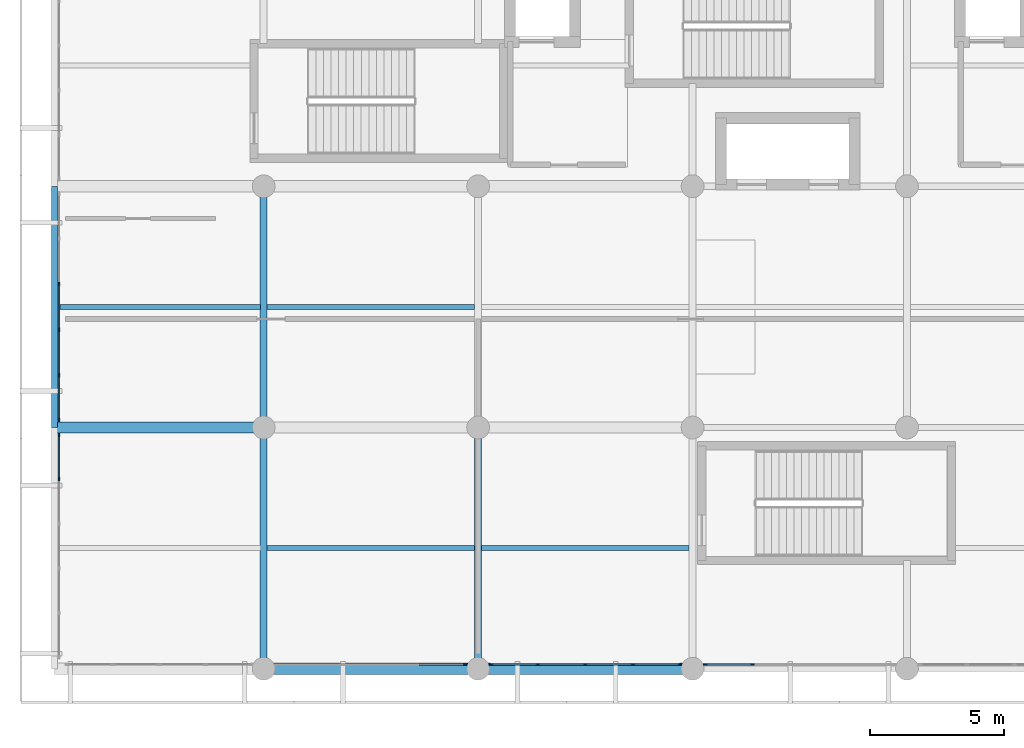
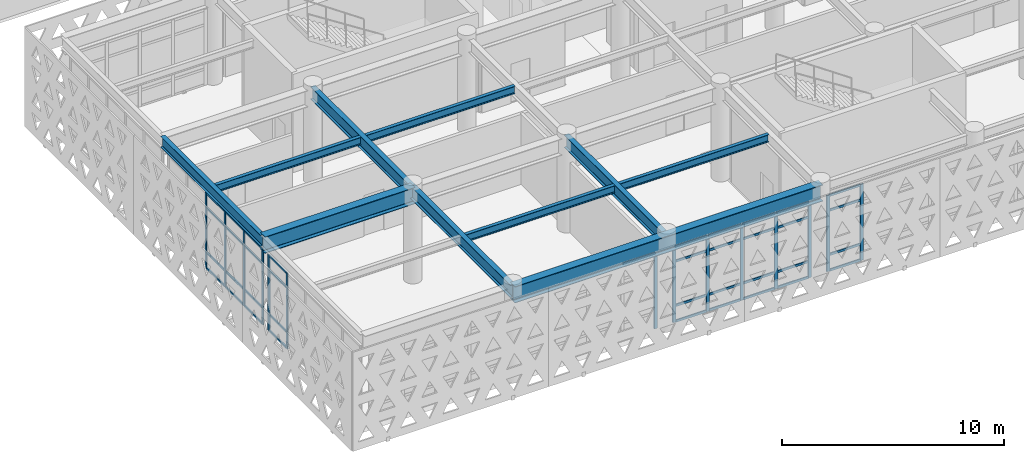
# One storey, part 10 of 84: 51 members, 10 beams, 5 elements without a shape of their own.
"""IFC4 building model written with IfcOpenShell, lengths in metres."""

from ifc_helpers import new_model, si_unit, direction, frame, origin, origin_2d, place, context, subcontext, project, spatial, rectangle, i_section, extrude, material, layer, layer_set, material_profile, profile_set, type_object, element, aggregate, save


model = new_model("IFC4")

# Units and contexts
model_context = context("Model", 3, precision=1e-05, world=origin(), true_north=direction((0.0, 1.0)))
body_context = subcontext(model_context, "Body", "Model", "MODEL_VIEW")
ifc_project = project(units=[si_unit("LENGTHUNIT", "METRE"), si_unit("AREAUNIT", "SQUARE_METRE"), si_unit("VOLUMEUNIT", "CUBIC_METRE"), si_unit("PLANEANGLEUNIT", "RADIAN"), si_unit("MASSUNIT", "GRAM", prefix="KILO")], contexts=[model_context])

# Site, building, storey
site_placement = place(None, origin())
site = spatial("IfcSite", under=ifc_project, at=site_placement, CompositionType="ELEMENT")
building_placement = place(site_placement, origin())
building = spatial("IfcBuilding", under=site, at=building_placement, Name="Tlacozan Convention Centre", CompositionType="ELEMENT")
storey_placement = place(building_placement, frame((0.0, 0.0, 6.0)))
storey = spatial("IfcBuildingStorey", under=building, at=storey_placement, Name="L01", CompositionType="ELEMENT", Elevation=6.0)

# Beam
ifc_material_1 = material(Name="Steel ASTM A992 Grade 50", Category="steel")
ifc_material_profile_1 = material_profile(ifc_material_1, i_section(OverallWidth=0.41796875, OverallDepth=0.912109375, WebThickness=0.019287109375, FlangeThickness=0.031982421875, FilletRadius=0.02001953125, at=origin_2d()), Name="IR 914x342.0")
ifc_profile_set_1 = profile_set([ifc_material_profile_1], Name="Steel ASTM A992 Grade 50")
beam_type_1 = type_object("IfcBeamType", Name="Cantilever Girder IR 914x342", PredefinedType="BEAM", material=ifc_profile_set_1)
beam_1_placement = place(storey_placement, frame((8.0, 9.0, 4.68408203125), z_axis=(-1.0, 0.0, 0.0), x_axis=(0.0, -1.0, 0.0)))
element("IfcBeam", 1, at=beam_1_placement, inside=storey, type_object=beam_type_1, Name="L01 Cantilever Girder IR 914x342 316", PredefinedType="BEAM", context=body_context, shape_type="SweptSolid", body=[
    extrude(i_section(OverallWidth=0.41796875, OverallDepth=0.912109375, WebThickness=0.019287109375, FlangeThickness=0.031982421875, FilletRadius=0.02001953125, at=origin_2d()), origin(), (0.0, 0.0, 1.0), 7.800048828125),
])

# Curtain wall, members
ifc_material_2 = material(Name="Dark Bronze Anodised Aluminium", Category="aluminium")
ifc_layer_1 = layer(ifc_material_2, 0.159912109375)
ifc_layer_set_1 = layer_set([ifc_layer_1], Name="Dark Bronze Anodised Aluminium")
curtain_wall_type_1 = type_object("IfcCurtainWallType", Name="Unitised Congress Gable End CW06", PredefinedType="NOTDEFINED", material=ifc_layer_set_1)
curtain_wall_1_placement = place(storey_placement, origin())
curtain_wall_1 = element("IfcCurtainWall", 2, at=curtain_wall_1_placement, inside=storey, type_object=curtain_wall_type_1, Name="L01 CW-06 Run 72", PredefinedType="NOTDEFINED")
ifc_material_profile_2 = material_profile(ifc_material_2, rectangle(XDim=0.06005859375, YDim=0.139892578125, at=origin_2d()), Name="ALU 60x140")
ifc_profile_set_2 = profile_set([ifc_material_profile_2], Name="Dark Bronze Anodised Aluminium")
member_type_1 = type_object("IfcMemberType", Name="Curtain Wall Light Mullion 60x140", PredefinedType="MULLION", material=ifc_profile_set_2)
member_1_placement = place(storey_placement, frame((0.360107421875, 7.08203125, 0.0), z_axis=(0.0, 0.0, 1.0), x_axis=(-1.0, 0.0, 0.0)))
member_1 = element("IfcMember", 3, at=member_1_placement, type_object=member_type_1, Name="CW-06 mullion 5", PredefinedType="MULLION", context=body_context, shape_type="SweptSolid", body=[
    extrude(rectangle(XDim=0.06005859375, YDim=0.139892578125, at=origin_2d()), origin(), (0.0, 0.0, 1.0), 4.179931640625),
])
member_2_placement = place(storey_placement, frame((0.360107421875, 8.719970703125, 0.0), z_axis=(0.0, 0.0, 1.0), x_axis=(-1.0, 0.0, 0.0)))
member_2 = element("IfcMember", 4, at=member_2_placement, type_object=member_type_1, Name="CW-06 mullion 6", PredefinedType="MULLION", context=body_context, shape_type="SweptSolid", body=[
    extrude(rectangle(XDim=0.06005859375, YDim=0.139892578125, at=origin_2d()), origin(), (0.0, 0.0, 1.0), 4.179931640625),
])

curtain_wall_2_placement = place(storey_placement, origin())
curtain_wall_2 = element("IfcCurtainWall", 5, at=curtain_wall_2_placement, inside=storey, type_object=curtain_wall_type_1, Name="L01 CW-06 Run 74", PredefinedType="NOTDEFINED")
member_3_placement = place(storey_placement, frame((0.360107421875, 9.280029296875, 0.0), z_axis=(0.0, 0.0, 1.0), x_axis=(-1.0, 0.0, 0.0)))
member_3 = element("IfcMember", 6, at=member_3_placement, type_object=member_type_1, Name="CW-06 mullion 1", PredefinedType="MULLION", context=body_context, shape_type="SweptSolid", body=[
    extrude(rectangle(XDim=0.06005859375, YDim=0.139892578125, at=origin_2d()), origin(), (0.0, 0.0, 1.0), 4.179931640625),
])
member_4_placement = place(storey_placement, frame((0.360107421875, 10.949951171875, 0.0), z_axis=(0.0, 0.0, 1.0), x_axis=(-1.0, 0.0, 0.0)))
member_4 = element("IfcMember", 7, at=member_4_placement, type_object=member_type_1, Name="CW-06 mullion 2", PredefinedType="MULLION", context=body_context, shape_type="SweptSolid", body=[
    extrude(rectangle(XDim=0.06005859375, YDim=0.139892578125, at=origin_2d()), origin(), (0.0, 0.0, 1.0), 4.179931640625),
])
member_5_placement = place(storey_placement, frame((0.360107421875, 12.64990234375, 0.0), z_axis=(0.0, 0.0, 1.0), x_axis=(-1.0, 0.0, 0.0)))
member_5 = element("IfcMember", 8, at=member_5_placement, type_object=member_type_1, Name="CW-06 mullion 3", PredefinedType="MULLION", context=body_context, shape_type="SweptSolid", body=[
    extrude(rectangle(XDim=0.06005859375, YDim=0.139892578125, at=origin_2d()), origin(), (0.0, 0.0, 1.0), 4.179931640625),
])
member_6_placement = place(storey_placement, frame((0.360107421875, 14.35009765625, 0.0), z_axis=(0.0, 0.0, 1.0), x_axis=(-1.0, 0.0, 0.0)))
member_6 = element("IfcMember", 9, at=member_6_placement, type_object=member_type_1, Name="CW-06 mullion 4", PredefinedType="MULLION", context=body_context, shape_type="SweptSolid", body=[
    extrude(rectangle(XDim=0.06005859375, YDim=0.139892578125, at=origin_2d()), origin(), (0.0, 0.0, 1.0), 4.179931640625),
])

# Member
ifc_material_profile_3 = material_profile(ifc_material_2, rectangle(XDim=0.06005859375, YDim=0.110107421875, at=origin_2d()), Name="ALU 60x110")
ifc_profile_set_3 = profile_set([ifc_material_profile_3], Name="Dark Bronze Anodised Aluminium")
member_type_2 = type_object("IfcMemberType", Name="Curtain Wall Light Transom 60x110", PredefinedType="USERDEFINED", material=ifc_profile_set_3)
member_7_placement = place(storey_placement, frame((0.360107421875, 7.112060546875, 0.030029296875), z_axis=(0.0, 1.0, 0.0), x_axis=(-1.0, 0.0, 0.0)))
member_7 = element("IfcMember", 10, at=member_7_placement, type_object=member_type_2, Name="CW-06 transom 5.1", ObjectType="TRANSOM", PredefinedType="USERDEFINED", context=body_context, shape_type="SweptSolid", body=[
    extrude(rectangle(XDim=0.06005859375, YDim=0.110107421875, at=origin_2d()), origin(), (0.0, 0.0, 1.0), 1.577880859375),
])

member_8_placement = place(storey_placement, frame((0.360107421875, 7.112060546875, 0.89990234375), z_axis=(0.0, 1.0, 0.0), x_axis=(-1.0, 0.0, 0.0)))
member_8 = element("IfcMember", 11, at=member_8_placement, type_object=member_type_2, Name="CW-06 transom 5.2", ObjectType="TRANSOM", PredefinedType="USERDEFINED", context=body_context, shape_type="SweptSolid", body=[
    extrude(rectangle(XDim=0.06005859375, YDim=0.110107421875, at=origin_2d()), origin(), (0.0, 0.0, 1.0), 1.577880859375),
])

member_9_placement = place(storey_placement, frame((0.360107421875, 7.112060546875, 3.330078125), z_axis=(0.0, 1.0, 0.0), x_axis=(-1.0, 0.0, 0.0)))
member_9 = element("IfcMember", 12, at=member_9_placement, type_object=member_type_2, Name="CW-06 transom 5.3", ObjectType="TRANSOM", PredefinedType="USERDEFINED", context=body_context, shape_type="SweptSolid", body=[
    extrude(rectangle(XDim=0.06005859375, YDim=0.110107421875, at=origin_2d()), origin(), (0.0, 0.0, 1.0), 1.577880859375),
])

member_10_placement = place(storey_placement, frame((0.360107421875, 7.112060546875, 4.14990234375), z_axis=(0.0, 1.0, 0.0), x_axis=(-1.0, 0.0, 0.0)))
member_10 = element("IfcMember", 13, at=member_10_placement, type_object=member_type_2, Name="CW-06 transom 5.4", ObjectType="TRANSOM", PredefinedType="USERDEFINED", context=body_context, shape_type="SweptSolid", body=[
    extrude(rectangle(XDim=0.06005859375, YDim=0.110107421875, at=origin_2d()), origin(), (0.0, 0.0, 1.0), 1.577880859375),
])

aggregate(curtain_wall_1, [member_1, member_2, member_7, member_8, member_9, member_10])

member_11_placement = place(storey_placement, frame((0.360107421875, 9.31005859375, 0.030029296875), z_axis=(0.0, 1.0, 0.0), x_axis=(-1.0, 0.0, 0.0)))
member_11 = element("IfcMember", 14, at=member_11_placement, type_object=member_type_2, Name="CW-06 transom 1.1", ObjectType="TRANSOM", PredefinedType="USERDEFINED", context=body_context, shape_type="SweptSolid", body=[
    extrude(rectangle(XDim=0.06005859375, YDim=0.110107421875, at=origin_2d()), origin(), (0.0, 0.0, 1.0), 1.60986328125),
])

member_12_placement = place(storey_placement, frame((0.360107421875, 9.31005859375, 0.89990234375), z_axis=(0.0, 1.0, 0.0), x_axis=(-1.0, 0.0, 0.0)))
member_12 = element("IfcMember", 15, at=member_12_placement, type_object=member_type_2, Name="CW-06 transom 1.2", ObjectType="TRANSOM", PredefinedType="USERDEFINED", context=body_context, shape_type="SweptSolid", body=[
    extrude(rectangle(XDim=0.06005859375, YDim=0.110107421875, at=origin_2d()), origin(), (0.0, 0.0, 1.0), 1.60986328125),
])

member_13_placement = place(storey_placement, frame((0.360107421875, 9.31005859375, 3.330078125), z_axis=(0.0, 1.0, 0.0), x_axis=(-1.0, 0.0, 0.0)))
member_13 = element("IfcMember", 16, at=member_13_placement, type_object=member_type_2, Name="CW-06 transom 1.3", ObjectType="TRANSOM", PredefinedType="USERDEFINED", context=body_context, shape_type="SweptSolid", body=[
    extrude(rectangle(XDim=0.06005859375, YDim=0.110107421875, at=origin_2d()), origin(), (0.0, 0.0, 1.0), 1.60986328125),
])

member_14_placement = place(storey_placement, frame((0.360107421875, 9.31005859375, 4.14990234375), z_axis=(0.0, 1.0, 0.0), x_axis=(-1.0, 0.0, 0.0)))
member_14 = element("IfcMember", 17, at=member_14_placement, type_object=member_type_2, Name="CW-06 transom 1.4", ObjectType="TRANSOM", PredefinedType="USERDEFINED", context=body_context, shape_type="SweptSolid", body=[
    extrude(rectangle(XDim=0.06005859375, YDim=0.110107421875, at=origin_2d()), origin(), (0.0, 0.0, 1.0), 1.60986328125),
])

member_15_placement = place(storey_placement, frame((0.360107421875, 10.97998046875, 0.030029296875), z_axis=(0.0, 1.0, 0.0), x_axis=(-1.0, 0.0, 0.0)))
member_15 = element("IfcMember", 18, at=member_15_placement, type_object=member_type_2, Name="CW-06 transom 2.1", ObjectType="TRANSOM", PredefinedType="USERDEFINED", context=body_context, shape_type="SweptSolid", body=[
    extrude(rectangle(XDim=0.06005859375, YDim=0.110107421875, at=origin_2d()), origin(), (0.0, 0.0, 1.0), 1.64013671875),
])

member_16_placement = place(storey_placement, frame((0.360107421875, 10.97998046875, 0.89990234375), z_axis=(0.0, 1.0, 0.0), x_axis=(-1.0, 0.0, 0.0)))
member_16 = element("IfcMember", 19, at=member_16_placement, type_object=member_type_2, Name="CW-06 transom 2.2", ObjectType="TRANSOM", PredefinedType="USERDEFINED", context=body_context, shape_type="SweptSolid", body=[
    extrude(rectangle(XDim=0.06005859375, YDim=0.110107421875, at=origin_2d()), origin(), (0.0, 0.0, 1.0), 1.64013671875),
])

member_17_placement = place(storey_placement, frame((0.360107421875, 10.97998046875, 3.330078125), z_axis=(0.0, 1.0, 0.0), x_axis=(-1.0, 0.0, 0.0)))
member_17 = element("IfcMember", 20, at=member_17_placement, type_object=member_type_2, Name="CW-06 transom 2.3", ObjectType="TRANSOM", PredefinedType="USERDEFINED", context=body_context, shape_type="SweptSolid", body=[
    extrude(rectangle(XDim=0.06005859375, YDim=0.110107421875, at=origin_2d()), origin(), (0.0, 0.0, 1.0), 1.64013671875),
])

member_18_placement = place(storey_placement, frame((0.360107421875, 10.97998046875, 4.14990234375), z_axis=(0.0, 1.0, 0.0), x_axis=(-1.0, 0.0, 0.0)))
member_18 = element("IfcMember", 21, at=member_18_placement, type_object=member_type_2, Name="CW-06 transom 2.4", ObjectType="TRANSOM", PredefinedType="USERDEFINED", context=body_context, shape_type="SweptSolid", body=[
    extrude(rectangle(XDim=0.06005859375, YDim=0.110107421875, at=origin_2d()), origin(), (0.0, 0.0, 1.0), 1.64013671875),
])

member_19_placement = place(storey_placement, frame((0.360107421875, 12.679931640625, 0.030029296875), z_axis=(0.0, 1.0, 0.0), x_axis=(-1.0, 0.0, 0.0)))
member_19 = element("IfcMember", 22, at=member_19_placement, type_object=member_type_2, Name="CW-06 transom 3.1", ObjectType="TRANSOM", PredefinedType="USERDEFINED", context=body_context, shape_type="SweptSolid", body=[
    extrude(rectangle(XDim=0.06005859375, YDim=0.110107421875, at=origin_2d()), origin(), (0.0, 0.0, 1.0), 1.64013671875),
])

member_20_placement = place(storey_placement, frame((0.360107421875, 12.679931640625, 0.89990234375), z_axis=(0.0, 1.0, 0.0), x_axis=(-1.0, 0.0, 0.0)))
member_20 = element("IfcMember", 23, at=member_20_placement, type_object=member_type_2, Name="CW-06 transom 3.2", ObjectType="TRANSOM", PredefinedType="USERDEFINED", context=body_context, shape_type="SweptSolid", body=[
    extrude(rectangle(XDim=0.06005859375, YDim=0.110107421875, at=origin_2d()), origin(), (0.0, 0.0, 1.0), 1.64013671875),
])

member_21_placement = place(storey_placement, frame((0.360107421875, 12.679931640625, 3.330078125), z_axis=(0.0, 1.0, 0.0), x_axis=(-1.0, 0.0, 0.0)))
member_21 = element("IfcMember", 24, at=member_21_placement, type_object=member_type_2, Name="CW-06 transom 3.3", ObjectType="TRANSOM", PredefinedType="USERDEFINED", context=body_context, shape_type="SweptSolid", body=[
    extrude(rectangle(XDim=0.06005859375, YDim=0.110107421875, at=origin_2d()), origin(), (0.0, 0.0, 1.0), 1.64013671875),
])

member_22_placement = place(storey_placement, frame((0.360107421875, 12.679931640625, 4.14990234375), z_axis=(0.0, 1.0, 0.0), x_axis=(-1.0, 0.0, 0.0)))
member_22 = element("IfcMember", 25, at=member_22_placement, type_object=member_type_2, Name="CW-06 transom 3.4", ObjectType="TRANSOM", PredefinedType="USERDEFINED", context=body_context, shape_type="SweptSolid", body=[
    extrude(rectangle(XDim=0.06005859375, YDim=0.110107421875, at=origin_2d()), origin(), (0.0, 0.0, 1.0), 1.64013671875),
])

aggregate(curtain_wall_2, [member_3, member_4, member_5, member_6, member_11, member_12, member_13, member_14, member_15, member_16, member_17, member_18, member_19, member_20, member_21, member_22])

# Curtain wall, member
ifc_layer_2 = layer(ifc_material_2, 0.159912109375)
ifc_layer_set_2 = layer_set([ifc_layer_2], Name="Dark Bronze Anodised Aluminium")
curtain_wall_type_2 = type_object("IfcCurtainWallType", Name="Unitised Congress L01 South CW02", PredefinedType="NOTDEFINED", material=ifc_layer_set_2)
curtain_wall_3_placement = place(storey_placement, origin())
curtain_wall_3 = element("IfcCurtainWall", 26, at=curtain_wall_3_placement, inside=storey, type_object=curtain_wall_type_2, Name="L01 CW-02 Run 56", PredefinedType="NOTDEFINED")
ifc_material_profile_4 = material_profile(ifc_material_2, rectangle(XDim=0.06494140625, YDim=0.159912109375, at=origin_2d()), Name="ALU 65x160")
ifc_profile_set_4 = profile_set([ifc_material_profile_4], Name="Dark Bronze Anodised Aluminium")
member_type_3 = type_object("IfcMemberType", Name="Curtain Wall Mullion 65x160", PredefinedType="MULLION", material=ifc_profile_set_4)
member_23_placement = place(storey_placement, frame((15.517578125, 0.159912109375, 0.0), z_axis=(0.0, 0.0, 1.0), x_axis=(0.0, 1.0, 0.0)))
member_23 = element("IfcMember", 27, at=member_23_placement, type_object=member_type_3, Name="CW-02 mullion 5", PredefinedType="MULLION", context=body_context, shape_type="SweptSolid", body=[
    extrude(rectangle(XDim=0.06494140625, YDim=0.159912109375, at=origin_2d()), origin(), (0.0, 0.0, 1.0), 4.179931640625),
])

# Curtain wall, members
curtain_wall_4_placement = place(storey_placement, origin())
curtain_wall_4 = element("IfcCurtainWall", 28, at=curtain_wall_4_placement, inside=storey, type_object=curtain_wall_type_2, Name="L01 CW-02 Run 57", PredefinedType="NOTDEFINED")
member_24_placement = place(storey_placement, frame((16.482421875, 0.159912109375, 0.0), z_axis=(0.0, 0.0, 1.0), x_axis=(0.0, 1.0, 0.0)))
member_24 = element("IfcMember", 29, at=member_24_placement, type_object=member_type_3, Name="CW-02 mullion 1", PredefinedType="MULLION", context=body_context, shape_type="SweptSolid", body=[
    extrude(rectangle(XDim=0.06494140625, YDim=0.159912109375, at=origin_2d()), origin(), (0.0, 0.0, 1.0), 4.179931640625),
])
member_25_placement = place(storey_placement, frame((18.22509765625, 0.159912109375, 0.0), z_axis=(0.0, 0.0, 1.0), x_axis=(0.0, 1.0, 0.0)))
member_25 = element("IfcMember", 30, at=member_25_placement, type_object=member_type_3, Name="CW-02 mullion 2", PredefinedType="MULLION", context=body_context, shape_type="SweptSolid", body=[
    extrude(rectangle(XDim=0.06494140625, YDim=0.159912109375, at=origin_2d()), origin(), (0.0, 0.0, 1.0), 4.179931640625),
])
member_26_placement = place(storey_placement, frame((20.0, 0.159912109375, 0.0), z_axis=(0.0, 0.0, 1.0), x_axis=(0.0, 1.0, 0.0)))
member_26 = element("IfcMember", 31, at=member_26_placement, type_object=member_type_3, Name="CW-02 mullion 3", PredefinedType="MULLION", context=body_context, shape_type="SweptSolid", body=[
    extrude(rectangle(XDim=0.06494140625, YDim=0.159912109375, at=origin_2d()), origin(), (0.0, 0.0, 1.0), 4.179931640625),
])
member_27_placement = place(storey_placement, frame((21.77490234375, 0.159912109375, 0.0), z_axis=(0.0, 0.0, 1.0), x_axis=(0.0, 1.0, 0.0)))
member_27 = element("IfcMember", 32, at=member_27_placement, type_object=member_type_3, Name="CW-02 mullion 4", PredefinedType="MULLION", context=body_context, shape_type="SweptSolid", body=[
    extrude(rectangle(XDim=0.06494140625, YDim=0.159912109375, at=origin_2d()), origin(), (0.0, 0.0, 1.0), 4.179931640625),
])
member_28_placement = place(storey_placement, frame((23.517578125, 0.159912109375, 0.0), z_axis=(0.0, 0.0, 1.0), x_axis=(0.0, 1.0, 0.0)))
member_28 = element("IfcMember", 33, at=member_28_placement, type_object=member_type_3, Name="CW-02 mullion 5", PredefinedType="MULLION", context=body_context, shape_type="SweptSolid", body=[
    extrude(rectangle(XDim=0.06494140625, YDim=0.159912109375, at=origin_2d()), origin(), (0.0, 0.0, 1.0), 4.179931640625),
])

curtain_wall_5_placement = place(storey_placement, origin())
curtain_wall_5 = element("IfcCurtainWall", 34, at=curtain_wall_5_placement, inside=storey, type_object=curtain_wall_type_2, Name="L01 CW-02 Run 58", PredefinedType="NOTDEFINED")
member_29_placement = place(storey_placement, frame((24.482421875, 0.159912109375, 0.0), z_axis=(0.0, 0.0, 1.0), x_axis=(0.0, 1.0, 0.0)))
member_29 = element("IfcMember", 35, at=member_29_placement, type_object=member_type_3, Name="CW-02 mullion 1", PredefinedType="MULLION", context=body_context, shape_type="SweptSolid", body=[
    extrude(rectangle(XDim=0.06494140625, YDim=0.159912109375, at=origin_2d()), origin(), (0.0, 0.0, 1.0), 4.179931640625),
])
member_30_placement = place(storey_placement, frame((26.22509765625, 0.159912109375, 0.0), z_axis=(0.0, 0.0, 1.0), x_axis=(0.0, 1.0, 0.0)))
member_30 = element("IfcMember", 36, at=member_30_placement, type_object=member_type_3, Name="CW-02 mullion 2", PredefinedType="MULLION", context=body_context, shape_type="SweptSolid", body=[
    extrude(rectangle(XDim=0.06494140625, YDim=0.159912109375, at=origin_2d()), origin(), (0.0, 0.0, 1.0), 4.179931640625),
])

# Member
ifc_material_profile_5 = material_profile(ifc_material_2, rectangle(XDim=0.06494140625, YDim=0.125, at=origin_2d()), Name="ALU 65x125")
ifc_profile_set_5 = profile_set([ifc_material_profile_5], Name="Dark Bronze Anodised Aluminium")
member_type_4 = type_object("IfcMemberType", Name="Curtain Wall Transom 65x125", PredefinedType="USERDEFINED", material=ifc_profile_set_5)
member_31_placement = place(storey_placement, frame((13.8076171875, 0.159912109375, 4.1474609375), z_axis=(1.0, 0.0, 0.0), x_axis=(0.0, 1.0, 0.0)))
member_31 = element("IfcMember", 37, at=member_31_placement, type_object=member_type_4, Name="CW-02 transom 4.4", ObjectType="TRANSOM", PredefinedType="USERDEFINED", context=body_context, shape_type="SweptSolid", body=[
    extrude(rectangle(XDim=0.06494140625, YDim=0.125, at=origin_2d()), origin(), (0.0, 0.0, 1.0), 1.677490234375),
])

aggregate(curtain_wall_3, [member_23, member_31])

member_32_placement = place(storey_placement, frame((16.514892578125, 0.159912109375, 0.032470703125), z_axis=(1.0, 0.0, 0.0), x_axis=(0.0, 1.0, 0.0)))
member_32 = element("IfcMember", 38, at=member_32_placement, type_object=member_type_4, Name="CW-02 transom 1.1", ObjectType="TRANSOM", PredefinedType="USERDEFINED", context=body_context, shape_type="SweptSolid", body=[
    extrude(rectangle(XDim=0.06494140625, YDim=0.125, at=origin_2d()), origin(), (0.0, 0.0, 1.0), 1.677490234375),
])

member_33_placement = place(storey_placement, frame((16.514892578125, 0.159912109375, 0.89990234375), z_axis=(1.0, 0.0, 0.0), x_axis=(0.0, 1.0, 0.0)))
member_33 = element("IfcMember", 39, at=member_33_placement, type_object=member_type_4, Name="CW-02 transom 1.2", ObjectType="TRANSOM", PredefinedType="USERDEFINED", context=body_context, shape_type="SweptSolid", body=[
    extrude(rectangle(XDim=0.06494140625, YDim=0.125, at=origin_2d()), origin(), (0.0, 0.0, 1.0), 1.677490234375),
])

member_34_placement = place(storey_placement, frame((16.514892578125, 0.159912109375, 3.330078125), z_axis=(1.0, 0.0, 0.0), x_axis=(0.0, 1.0, 0.0)))
member_34 = element("IfcMember", 40, at=member_34_placement, type_object=member_type_4, Name="CW-02 transom 1.3", ObjectType="TRANSOM", PredefinedType="USERDEFINED", context=body_context, shape_type="SweptSolid", body=[
    extrude(rectangle(XDim=0.06494140625, YDim=0.125, at=origin_2d()), origin(), (0.0, 0.0, 1.0), 1.677490234375),
])

member_35_placement = place(storey_placement, frame((16.514892578125, 0.159912109375, 4.1474609375), z_axis=(1.0, 0.0, 0.0), x_axis=(0.0, 1.0, 0.0)))
member_35 = element("IfcMember", 41, at=member_35_placement, type_object=member_type_4, Name="CW-02 transom 1.4", ObjectType="TRANSOM", PredefinedType="USERDEFINED", context=body_context, shape_type="SweptSolid", body=[
    extrude(rectangle(XDim=0.06494140625, YDim=0.125, at=origin_2d()), origin(), (0.0, 0.0, 1.0), 1.677490234375),
])

member_36_placement = place(storey_placement, frame((18.257568359375, 0.159912109375, 0.032470703125), z_axis=(1.0, 0.0, 0.0), x_axis=(0.0, 1.0, 0.0)))
member_36 = element("IfcMember", 42, at=member_36_placement, type_object=member_type_4, Name="CW-02 transom 2.1", ObjectType="TRANSOM", PredefinedType="USERDEFINED", context=body_context, shape_type="SweptSolid", body=[
    extrude(rectangle(XDim=0.06494140625, YDim=0.125, at=origin_2d()), origin(), (0.0, 0.0, 1.0), 1.7099609375),
])

member_37_placement = place(storey_placement, frame((18.257568359375, 0.159912109375, 0.89990234375), z_axis=(1.0, 0.0, 0.0), x_axis=(0.0, 1.0, 0.0)))
member_37 = element("IfcMember", 43, at=member_37_placement, type_object=member_type_4, Name="CW-02 transom 2.2", ObjectType="TRANSOM", PredefinedType="USERDEFINED", context=body_context, shape_type="SweptSolid", body=[
    extrude(rectangle(XDim=0.06494140625, YDim=0.125, at=origin_2d()), origin(), (0.0, 0.0, 1.0), 1.7099609375),
])

member_38_placement = place(storey_placement, frame((18.257568359375, 0.159912109375, 3.330078125), z_axis=(1.0, 0.0, 0.0), x_axis=(0.0, 1.0, 0.0)))
member_38 = element("IfcMember", 44, at=member_38_placement, type_object=member_type_4, Name="CW-02 transom 2.3", ObjectType="TRANSOM", PredefinedType="USERDEFINED", context=body_context, shape_type="SweptSolid", body=[
    extrude(rectangle(XDim=0.06494140625, YDim=0.125, at=origin_2d()), origin(), (0.0, 0.0, 1.0), 1.7099609375),
])

member_39_placement = place(storey_placement, frame((18.257568359375, 0.159912109375, 4.1474609375), z_axis=(1.0, 0.0, 0.0), x_axis=(0.0, 1.0, 0.0)))
member_39 = element("IfcMember", 45, at=member_39_placement, type_object=member_type_4, Name="CW-02 transom 2.4", ObjectType="TRANSOM", PredefinedType="USERDEFINED", context=body_context, shape_type="SweptSolid", body=[
    extrude(rectangle(XDim=0.06494140625, YDim=0.125, at=origin_2d()), origin(), (0.0, 0.0, 1.0), 1.7099609375),
])

member_40_placement = place(storey_placement, frame((20.032470703125, 0.159912109375, 0.032470703125), z_axis=(1.0, 0.0, 0.0), x_axis=(0.0, 1.0, 0.0)))
member_40 = element("IfcMember", 46, at=member_40_placement, type_object=member_type_4, Name="CW-02 transom 3.1", ObjectType="TRANSOM", PredefinedType="USERDEFINED", context=body_context, shape_type="SweptSolid", body=[
    extrude(rectangle(XDim=0.06494140625, YDim=0.125, at=origin_2d()), origin(), (0.0, 0.0, 1.0), 1.7099609375),
])

member_41_placement = place(storey_placement, frame((20.032470703125, 0.159912109375, 0.89990234375), z_axis=(1.0, 0.0, 0.0), x_axis=(0.0, 1.0, 0.0)))
member_41 = element("IfcMember", 47, at=member_41_placement, type_object=member_type_4, Name="CW-02 transom 3.2", ObjectType="TRANSOM", PredefinedType="USERDEFINED", context=body_context, shape_type="SweptSolid", body=[
    extrude(rectangle(XDim=0.06494140625, YDim=0.125, at=origin_2d()), origin(), (0.0, 0.0, 1.0), 1.7099609375),
])

member_42_placement = place(storey_placement, frame((20.032470703125, 0.159912109375, 3.330078125), z_axis=(1.0, 0.0, 0.0), x_axis=(0.0, 1.0, 0.0)))
member_42 = element("IfcMember", 48, at=member_42_placement, type_object=member_type_4, Name="CW-02 transom 3.3", ObjectType="TRANSOM", PredefinedType="USERDEFINED", context=body_context, shape_type="SweptSolid", body=[
    extrude(rectangle(XDim=0.06494140625, YDim=0.125, at=origin_2d()), origin(), (0.0, 0.0, 1.0), 1.7099609375),
])

member_43_placement = place(storey_placement, frame((20.032470703125, 0.159912109375, 4.1474609375), z_axis=(1.0, 0.0, 0.0), x_axis=(0.0, 1.0, 0.0)))
member_43 = element("IfcMember", 49, at=member_43_placement, type_object=member_type_4, Name="CW-02 transom 3.4", ObjectType="TRANSOM", PredefinedType="USERDEFINED", context=body_context, shape_type="SweptSolid", body=[
    extrude(rectangle(XDim=0.06494140625, YDim=0.125, at=origin_2d()), origin(), (0.0, 0.0, 1.0), 1.7099609375),
])

member_44_placement = place(storey_placement, frame((21.8076171875, 0.159912109375, 0.032470703125), z_axis=(1.0, 0.0, 0.0), x_axis=(0.0, 1.0, 0.0)))
member_44 = element("IfcMember", 50, at=member_44_placement, type_object=member_type_4, Name="CW-02 transom 4.1", ObjectType="TRANSOM", PredefinedType="USERDEFINED", context=body_context, shape_type="SweptSolid", body=[
    extrude(rectangle(XDim=0.06494140625, YDim=0.125, at=origin_2d()), origin(), (0.0, 0.0, 1.0), 1.677490234375),
])

member_45_placement = place(storey_placement, frame((21.8076171875, 0.159912109375, 0.89990234375), z_axis=(1.0, 0.0, 0.0), x_axis=(0.0, 1.0, 0.0)))
member_45 = element("IfcMember", 51, at=member_45_placement, type_object=member_type_4, Name="CW-02 transom 4.2", ObjectType="TRANSOM", PredefinedType="USERDEFINED", context=body_context, shape_type="SweptSolid", body=[
    extrude(rectangle(XDim=0.06494140625, YDim=0.125, at=origin_2d()), origin(), (0.0, 0.0, 1.0), 1.677490234375),
])

member_46_placement = place(storey_placement, frame((21.8076171875, 0.159912109375, 3.330078125), z_axis=(1.0, 0.0, 0.0), x_axis=(0.0, 1.0, 0.0)))
member_46 = element("IfcMember", 52, at=member_46_placement, type_object=member_type_4, Name="CW-02 transom 4.3", ObjectType="TRANSOM", PredefinedType="USERDEFINED", context=body_context, shape_type="SweptSolid", body=[
    extrude(rectangle(XDim=0.06494140625, YDim=0.125, at=origin_2d()), origin(), (0.0, 0.0, 1.0), 1.677490234375),
])

member_47_placement = place(storey_placement, frame((21.8076171875, 0.159912109375, 4.1474609375), z_axis=(1.0, 0.0, 0.0), x_axis=(0.0, 1.0, 0.0)))
member_47 = element("IfcMember", 53, at=member_47_placement, type_object=member_type_4, Name="CW-02 transom 4.4", ObjectType="TRANSOM", PredefinedType="USERDEFINED", context=body_context, shape_type="SweptSolid", body=[
    extrude(rectangle(XDim=0.06494140625, YDim=0.125, at=origin_2d()), origin(), (0.0, 0.0, 1.0), 1.677490234375),
])

aggregate(curtain_wall_4, [member_24, member_25, member_26, member_27, member_28, member_32, member_33, member_34, member_35, member_36, member_37, member_38, member_39, member_40, member_41, member_42, member_43, member_44, member_45, member_46, member_47])

member_48_placement = place(storey_placement, frame((24.514892578125, 0.159912109375, 0.032470703125), z_axis=(1.0, 0.0, 0.0), x_axis=(0.0, 1.0, 0.0)))
member_48 = element("IfcMember", 54, at=member_48_placement, type_object=member_type_4, Name="CW-02 transom 1.1", ObjectType="TRANSOM", PredefinedType="USERDEFINED", context=body_context, shape_type="SweptSolid", body=[
    extrude(rectangle(XDim=0.06494140625, YDim=0.125, at=origin_2d()), origin(), (0.0, 0.0, 1.0), 1.677490234375),
])

member_49_placement = place(storey_placement, frame((24.514892578125, 0.159912109375, 0.89990234375), z_axis=(1.0, 0.0, 0.0), x_axis=(0.0, 1.0, 0.0)))
member_49 = element("IfcMember", 55, at=member_49_placement, type_object=member_type_4, Name="CW-02 transom 1.2", ObjectType="TRANSOM", PredefinedType="USERDEFINED", context=body_context, shape_type="SweptSolid", body=[
    extrude(rectangle(XDim=0.06494140625, YDim=0.125, at=origin_2d()), origin(), (0.0, 0.0, 1.0), 1.677490234375),
])

member_50_placement = place(storey_placement, frame((24.514892578125, 0.159912109375, 3.330078125), z_axis=(1.0, 0.0, 0.0), x_axis=(0.0, 1.0, 0.0)))
member_50 = element("IfcMember", 56, at=member_50_placement, type_object=member_type_4, Name="CW-02 transom 1.3", ObjectType="TRANSOM", PredefinedType="USERDEFINED", context=body_context, shape_type="SweptSolid", body=[
    extrude(rectangle(XDim=0.06494140625, YDim=0.125, at=origin_2d()), origin(), (0.0, 0.0, 1.0), 1.677490234375),
])

member_51_placement = place(storey_placement, frame((24.514892578125, 0.159912109375, 4.1474609375), z_axis=(1.0, 0.0, 0.0), x_axis=(0.0, 1.0, 0.0)))
member_51 = element("IfcMember", 57, at=member_51_placement, type_object=member_type_4, Name="CW-02 transom 1.4", ObjectType="TRANSOM", PredefinedType="USERDEFINED", context=body_context, shape_type="SweptSolid", body=[
    extrude(rectangle(XDim=0.06494140625, YDim=0.125, at=origin_2d()), origin(), (0.0, 0.0, 1.0), 1.677490234375),
])

aggregate(curtain_wall_5, [member_29, member_30, member_48, member_49, member_50, member_51])

# Beams
ifc_material_profile_6 = material_profile(ifc_material_1, i_section(OverallWidth=0.256103515625, OverallDepth=0.693115234375, WebThickness=0.014404296875, FlangeThickness=0.023681640625, FilletRadius=0.014892578125, at=origin_2d()), Name="IR 686x170.0")
ifc_profile_set_6 = profile_set([ifc_material_profile_6], Name="Steel ASTM A992 Grade 50")
beam_type_2 = type_object("IfcBeamType", Name="Girder Steel IR 686x170", PredefinedType="BEAM", material=ifc_profile_set_6)
for number, where, z_axis, x_axis, name in (
    (58, (8.0, 0.0, 4.79345703125), (0.0, 1.0, 0.0), (-1.0, 0.0, 0.0), "L01 Girder Steel IR 686x170 263"),
    (59, (8.0, 9.0, 4.79345703125), (0.0, 1.0, 0.0), (-1.0, 0.0, 0.0), "L01 Girder Steel IR 686x170 264"),
    (60, (16.0, 0.0, 4.79345703125), (0.0, 1.0, 0.0), (-1.0, 0.0, 0.0), "L01 Girder Steel IR 686x170 266"),
):
    element("IfcBeam", number, at=place(storey_placement, frame(where, z_axis=z_axis, x_axis=x_axis)), inside=storey, type_object=beam_type_2, Name=name, PredefinedType="BEAM", context=body_context, shape_type="SweptSolid", body=[
        extrude(i_section(OverallWidth=0.256103515625, OverallDepth=0.693115234375, WebThickness=0.014404296875, FlangeThickness=0.023681640625, FilletRadius=0.014892578125, at=origin_2d()), origin(), (0.0, 0.0, 1.0), 9.0),
    ])
ifc_material_profile_7 = material_profile(ifc_material_1, i_section(OverallWidth=0.22900390625, OverallDepth=0.612060546875, WebThickness=0.011962890625, FlangeThickness=0.01953125, FilletRadius=0.012939453125, at=origin_2d()), Name="IR 610x125.0")
ifc_profile_set_7 = profile_set([ifc_material_profile_7], Name="Steel ASTM A992 Grade 50")
beam_type_3 = type_object("IfcBeamType", Name="Perimeter Spandrel IR 610x125", PredefinedType="SPANDREL", material=ifc_profile_set_7)
beam_2_placement = place(storey_placement, frame((0.199951171875, 9.0, 4.833984375), z_axis=(0.0, 1.0, 0.0), x_axis=(-1.0, 0.0, 0.0)))
element("IfcBeam", 61, at=beam_2_placement, inside=storey, type_object=beam_type_3, Name="L01 Perimeter Spandrel IR 610x125 306", PredefinedType="SPANDREL", context=body_context, shape_type="SweptSolid", body=[
    extrude(i_section(OverallWidth=0.22900390625, OverallDepth=0.612060546875, WebThickness=0.011962890625, FlangeThickness=0.01953125, FilletRadius=0.012939453125, at=origin_2d()), origin(), (0.0, 0.0, 1.0), 9.0),
])
ifc_material_profile_8 = material_profile(ifc_material_1, i_section(OverallWidth=0.179931640625, OverallDepth=0.4130859375, WebThickness=0.009765625, FlangeThickness=0.01611328125, FilletRadius=0.010986328125, at=origin_2d()), Name="IR 406x74.4")
ifc_profile_set_8 = profile_set([ifc_material_profile_8], Name="Steel ASTM A992 Grade 50")
beam_type_4 = type_object("IfcBeamType", Name="Secondary Joist IR 406x74.4", PredefinedType="JOIST", material=ifc_profile_set_8)
beam_3_placement = place(storey_placement, frame((0.325927734375, 13.5, 4.93359375), z_axis=(1.0, 0.0, 0.0), x_axis=(0.0, 1.0, 0.0)))
element("IfcBeam", 62, at=beam_3_placement, inside=storey, type_object=beam_type_4, Name="L01 Secondary Joist IR 406x74.4 364", PredefinedType="JOIST", context=body_context, shape_type="SweptSolid", body=[
    extrude(i_section(OverallWidth=0.179931640625, OverallDepth=0.4130859375, WebThickness=0.009765625, FlangeThickness=0.01611328125, FilletRadius=0.010986328125, at=origin_2d()), origin(), (0.0, 0.0, 1.0), 7.548095703125),
])
for number, where, z_axis, x_axis, name in (
    (63, (8.1259765625, 4.5, 4.93359375), (1.0, 0.0, 0.0), (0.0, 1.0, 0.0), "L01 Secondary Joist IR 406x74.4 366"),
    (64, (8.1259765625, 13.5, 4.93359375), (1.0, 0.0, 0.0), (0.0, 1.0, 0.0), "L01 Secondary Joist IR 406x74.4 367"),
    (65, (16.1259765625, 4.5, 4.93359375), (1.0, 0.0, 0.0), (0.0, 1.0, 0.0), "L01 Secondary Joist IR 406x74.4 368"),
):
    element("IfcBeam", number, at=place(storey_placement, frame(where, z_axis=z_axis, x_axis=x_axis)), inside=storey, type_object=beam_type_4, Name=name, PredefinedType="JOIST", context=body_context, shape_type="SweptSolid", body=[
        extrude(i_section(OverallWidth=0.179931640625, OverallDepth=0.4130859375, WebThickness=0.009765625, FlangeThickness=0.01611328125, FilletRadius=0.010986328125, at=origin_2d()), origin(), (0.0, 0.0, 1.0), 7.748046875),
    ])
ifc_material_profile_9 = material_profile(ifc_material_1, i_section(OverallWidth=0.41796875, OverallDepth=0.912109375, WebThickness=0.019287109375, FlangeThickness=0.031982421875, FilletRadius=0.02001953125, at=origin_2d()), Name="IR 914x342.0")
ifc_profile_set_9 = profile_set([ifc_material_profile_9], Name="Steel ASTM A992 Grade 50")
beam_type_5 = type_object("IfcBeamType", Name="Transfer Girder IR 914x342", PredefinedType="BEAM", material=ifc_profile_set_9)
beam_4_placement = place(storey_placement, frame((24.0, 0.0, 4.68408203125), z_axis=(-1.0, 0.0, 0.0), x_axis=(0.0, -1.0, 0.0)))
element("IfcBeam", 66, at=beam_4_placement, inside=storey, type_object=beam_type_5, Name="L01 Transfer Girder IR 914x342 311", PredefinedType="BEAM", context=body_context, shape_type="SweptSolid", body=[
    extrude(i_section(OverallWidth=0.41796875, OverallDepth=0.912109375, WebThickness=0.019287109375, FlangeThickness=0.031982421875, FilletRadius=0.02001953125, at=origin_2d()), origin(), (0.0, 0.0, 1.0), 16.0),
])

save(model, "model.ifc")
